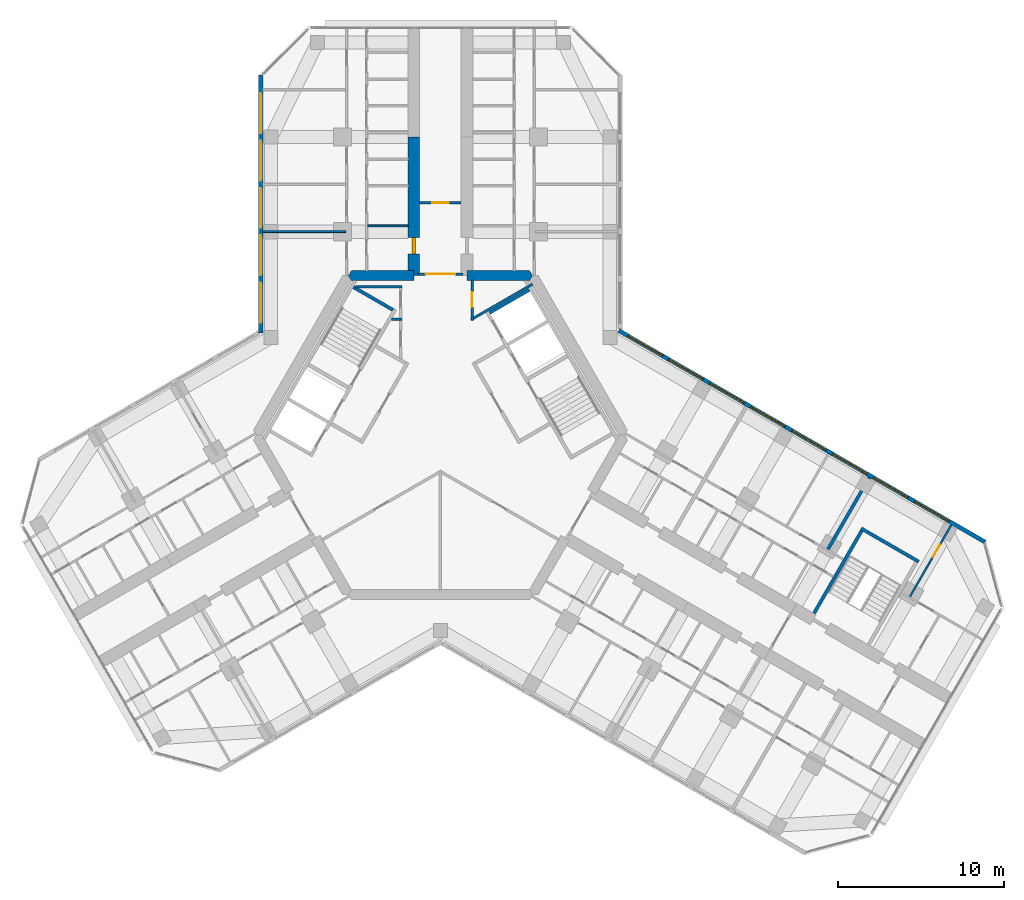
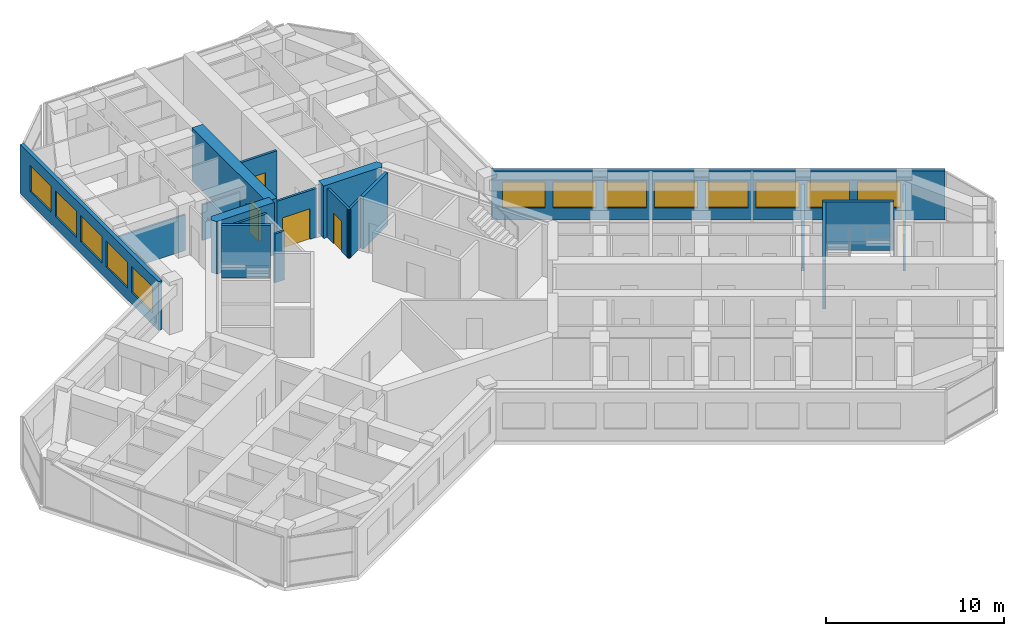
# One storey, part 13 of 16: 19 walls, 13 windows, 5 doors, 18 openings.
"""IFC4 building model written with IfcOpenShell, lengths in metres."""

from ifc_helpers import new_model, si_unit, direction, frame, frame_2d, origin, place, context, subcontext, project, spatial, polyline, rectangle, outline, extrude, material, layer, layer_set, type_object, element, fill, save


model = new_model("IFC4")

# Units and contexts
model_context = context("Model", 3, precision=1e-05, world=origin(), true_north=direction((0.0, 1.0)))
body_context = subcontext(model_context, "Body", "Model", "MODEL_VIEW")
ifc_project = project(units=[si_unit("LENGTHUNIT", "METRE"), si_unit("AREAUNIT", "SQUARE_METRE"), si_unit("VOLUMEUNIT", "CUBIC_METRE"), si_unit("PLANEANGLEUNIT", "RADIAN"), si_unit("MASSUNIT", "GRAM", prefix="KILO")], contexts=[model_context])

# Site, building, storey
site_placement = place(None, origin())
site = spatial("IfcSite", under=ifc_project, at=site_placement, CompositionType="ELEMENT")
building_placement = place(site_placement, origin())
building = spatial("IfcBuilding", under=site, at=building_placement, Name="Kosmar Iwan School Tower", CompositionType="ELEMENT")
storey_placement = place(building_placement, frame((0.0, 0.0, 235.199951171875)))
storey = spatial("IfcBuildingStorey", under=building, at=storey_placement, Name="L59", CompositionType="ELEMENT", Elevation=235.199951171875)

# Walls
ifc_material_1 = material(Name="Gypsum board on steel studs, fire-rated", Category="steel")
ifc_layer_1 = layer(ifc_material_1, 0.14990234375)
ifc_layer_set_1 = layer_set([ifc_layer_1], Name="Core room partition 150")
wall_type_1 = type_object("IfcWallType", Name="Core room partition 150", PredefinedType="PARTITIONING", material=ifc_layer_set_1)
wall_1_placement = place(storey_placement, frame((-2.324951171875, 6.985107421875, 0.0), z_axis=(0.0, 0.0, 1.0), x_axis=(-1.0, 0.0, 0.0)))
element("IfcWall", 1, at=wall_1_placement, inside=storey, type_object=wall_type_1, Name="Core room partition L59-CW2", PredefinedType="PARTITIONING", context=body_context, shape_type="SweptSolid", body=[
    extrude(rectangle(XDim=0.623779296875, YDim=0.14990234375, at=frame_2d((0.31201171875, 0.0))), origin(), (0.0, 0.0, 1.0), 3.35009765625),
])
wall_2_placement = place(storey_placement, frame((-5.089599609375, 8.93994140625, 0.0), z_axis=(0.0, 0.0, 1.0), x_axis=(1.0, 0.0, 0.0)))
element("IfcWall", 2, at=wall_2_placement, inside=storey, type_object=wall_type_1, Name="Core room partition L59-CW3", PredefinedType="PARTITIONING", context=body_context, shape_type="SweptSolid", body=[
    extrude(rectangle(XDim=2.7646484375, YDim=0.14990234375, at=frame_2d((1.38232421875, 0.0))), origin(), (0.0, 0.0, 1.0), 3.35009765625),
])
wall_3_placement = place(storey_placement, frame((5.54296875, 9.089111328125, 0.0), z_axis=(0.0, 0.0, 1.0), x_axis=(-0.866045054481, -0.49996596245, 0.0)))
element("IfcWall", 3, at=wall_3_placement, inside=storey, type_object=wall_type_1, Name="Core room partition L59-CW8", PredefinedType="PARTITIONING", context=body_context, shape_type="SweptSolid", body=[
    extrude(rectangle(XDim=4.281494140625, YDim=0.14990234375, at=frame_2d((2.140625, 0.0))), origin(), (0.0, 0.0, 1.0), 3.35009765625),
])

# Wall, opening, door
wall_4_placement = place(storey_placement, frame((1.89990234375, 6.910888671875, 0.0), z_axis=(0.0, 0.0, 1.0), x_axis=(0.0, 1.0, 0.0)))
wall_4 = element("IfcWall", 4, at=wall_4_placement, inside=storey, type_object=wall_type_1, Name="Core room partition L59-CW9", PredefinedType="PARTITIONING", context=body_context, shape_type="SweptSolid", body=[
    extrude(rectangle(XDim=2.43408203125, YDim=0.14990234375, at=frame_2d((1.217041015625, 0.0))), origin(), (0.0, 0.0, 1.0), 3.35009765625),
])
opening_1_placement = place(wall_4_placement, frame((0.802001953125, 0.0, 0.0)))
opening_1 = element("IfcOpeningElement", 5, at=opening_1_placement, cuts=wall_4, Name="Opening D14", PredefinedType="OPENING", context=body_context, shape_type="SweptSolid", body=[
    extrude(rectangle(XDim=0.89990234375, YDim=2.10009765625, at=frame_2d((0.449951171875, 1.050048828125))), frame((0.0, 0.0869140625, 0.0), z_axis=(0.0, -1.0, 0.0), x_axis=(1.0, 0.0, 0.0)), (0.0, 0.0, 1.0), 0.173828125),
])
ifc_material_2 = material(Name="Timber fire door in steel frame", Category="steel")
door_type_1 = type_object("IfcDoorType", Name="Core room door 900x2100", OperationType="SINGLE_SWING_LEFT", PredefinedType="DOOR", material=ifc_material_2)
door_1_placement = place(opening_1_placement, origin())
door_1 = element("IfcDoor", 6, at=door_1_placement, inside=storey, type_object=door_type_1, Name="Communications room door L59 5", OperationType="SINGLE_SWING_RIGHT", OverallHeight=2.10009765625, OverallWidth=0.89990234375, PredefinedType="DOOR", context=body_context, shape_type="SweptSolid", body=[
    extrude(rectangle(XDim=0.89990234375, YDim=2.10009765625, at=frame_2d((0.449951171875, 1.050048828125))), frame((0.0, 0.02490234375, 0.0), z_axis=(0.0, -1.0, 0.0), x_axis=(1.0, 0.0, 0.0)), (0.0, 0.0, 1.0), 0.050048828125),
])
fill(opening_1, door_1)

# Walls
ifc_material_3 = material(Name="Concrete C50/60", Category="concrete")
ifc_layer_2 = layer(ifc_material_3, 0.60009765625)
ifc_layer_set_2 = layer_set([ifc_layer_2], Name="Core wall 600")
wall_type_2 = type_object("IfcWallType", Name="Core wall 600", PredefinedType="SHEAR", material=ifc_layer_set_2)
wall_5_placement = place(storey_placement, origin())
element("IfcWall", 7, at=wall_5_placement, inside=storey, type_object=wall_type_2, Name="Core wall F090a", PredefinedType="SHEAR", context=body_context, shape_type="SweptSolid", body=[
    extrude(outline(polyline([(1.60009765625, 9.300048828125), (5.369384765625, 9.300048828125), (5.54248046875, 9.60009765625), (5.369384765625, 9.89990234375), (1.60009765625, 9.89990234375), (1.60009765625, 9.300048828125)])), origin(), (0.0, 0.0, 1.0), 3.60009765625),
])
wall_6_placement = place(storey_placement, origin())
element("IfcWall", 8, at=wall_6_placement, inside=storey, type_object=wall_type_2, Name="Core wall F090b", PredefinedType="SHEAR", context=body_context, shape_type="SweptSolid", body=[
    extrude(outline(polyline([(-5.369384765625, 9.300048828125), (-1.60009765625, 9.300048828125), (-1.60009765625, 9.89990234375), (-5.369384765625, 9.89990234375), (-5.54248046875, 9.60009765625), (-5.369384765625, 9.300048828125)])), origin(), (0.0, 0.0, 1.0), 3.60009765625),
])

# Wall, opening, door
ifc_material_4 = material(Name="Concrete C50/60", Category="concrete")
ifc_layer_3 = layer(ifc_material_4, 0.699951171875)
ifc_layer_set_3 = layer_set([ifc_layer_3], Name="Corridor buttress wall 700")
wall_type_3 = type_object("IfcWallType", Name="Corridor buttress wall 700", PredefinedType="SHEAR", material=ifc_layer_set_3)
wall_7_placement = place(storey_placement, frame((-1.60009765625, 9.60009765625, 0.0), z_axis=(0.0, 0.0, 1.0), x_axis=(0.0, 1.0, 0.0)))
wall_7 = element("IfcWall", 9, at=wall_7_placement, inside=storey, type_object=wall_type_3, Name="Corridor wall AL", PredefinedType="SHEAR", context=body_context, shape_type="SweptSolid", body=[
    extrude(rectangle(XDim=8.349853515625, YDim=0.699951171875, at=frame_2d((4.1748046875, 0.0))), origin(), (0.0, 0.0, 1.0), 3.60009765625),
])
opening_2_placement = place(wall_7_placement, frame((1.300048828125, 0.0, 0.0)))
opening_2 = element("IfcOpeningElement", 10, at=opening_2_placement, cuts=wall_7, Name="Opening D1", PredefinedType="OPENING", context=body_context, shape_type="SweptSolid", body=[
    extrude(rectangle(XDim=1.0, YDim=2.10009765625, at=frame_2d((0.5, 1.050048828125))), frame((0.0, 0.362060546875, 0.0), z_axis=(0.0, -1.0, 0.0), x_axis=(1.0, 0.0, 0.0)), (0.0, 0.0, 1.0), 0.723876953125),
])
ifc_material_5 = material(Name="Timber fire door in steel frame", Category="steel")
door_type_2 = type_object("IfcDoorType", Name="Flat entrance door 1000x2100", OperationType="SINGLE_SWING_LEFT", PredefinedType="DOOR", material=ifc_material_5)
door_2_placement = place(opening_2_placement, origin())
door_2 = element("IfcDoor", 11, at=door_2_placement, inside=storey, type_object=door_type_2, Name="Flat L59-AL1 entrance door", OperationType="SINGLE_SWING_RIGHT", OverallHeight=2.10009765625, OverallWidth=1.0, PredefinedType="DOOR", context=body_context, shape_type="SweptSolid", body=[
    extrude(rectangle(XDim=1.0, YDim=2.10009765625, at=frame_2d((0.5, 1.050048828125))), frame((0.0, 0.10009765625, 0.0), z_axis=(0.0, -1.0, 0.0), x_axis=(1.0, 0.0, 0.0)), (0.0, 0.0, 1.0), 0.199951171875),
])
fill(opening_2, door_2)

ifc_material_6 = material(Name="Gypsum board on steel studs, fire-rated", Category="steel")
ifc_layer_4 = layer(ifc_material_6, 0.14990234375)
ifc_layer_set_4 = layer_set([ifc_layer_4], Name="Corridor end wall 150")
wall_type_4 = type_object("IfcWallType", Name="Corridor end wall 150", PredefinedType="PARTITIONING", material=ifc_layer_set_4)
wall_8_placement = place(storey_placement, frame((1.25, 14.0, 0.0), z_axis=(0.0, 0.0, 1.0), x_axis=(-1.0, 0.0, 0.0)))
wall_8 = element("IfcWall", 12, at=wall_8_placement, inside=storey, type_object=wall_type_4, Name="Partition L59-A-CE", PredefinedType="PARTITIONING", context=body_context, shape_type="SweptSolid", body=[
    extrude(rectangle(XDim=2.5, YDim=0.14990234375, at=frame_2d((1.25, 0.0))), origin(), (0.0, 0.0, 1.0), 3.35009765625),
])
opening_3_placement = place(wall_8_placement, frame((0.75, 0.0, 0.0)))
opening_3 = element("IfcOpeningElement", 13, at=opening_3_placement, cuts=wall_8, Name="Opening D13", PredefinedType="OPENING", context=body_context, shape_type="SweptSolid", body=[
    extrude(rectangle(XDim=1.0, YDim=2.10009765625, at=frame_2d((0.5, 1.050048828125))), frame((0.0, 0.0869140625, 0.0), z_axis=(0.0, -1.0, 0.0), x_axis=(1.0, 0.0, 0.0)), (0.0, 0.0, 1.0), 0.173828125),
])
ifc_material_7 = material(Name="Timber fire door with vision panel", Category="wood")
door_type_3 = type_object("IfcDoorType", Name="Corridor end door 1000x2100", OperationType="SINGLE_SWING_LEFT", PredefinedType="DOOR", material=ifc_material_7)
door_3_placement = place(opening_3_placement, origin())
door_3 = element("IfcDoor", 14, at=door_3_placement, inside=storey, type_object=door_type_3, Name="Reading room door L59-A", OperationType="SINGLE_SWING_RIGHT", OverallHeight=2.10009765625, OverallWidth=1.0, PredefinedType="DOOR", context=body_context, shape_type="SweptSolid", body=[
    extrude(rectangle(XDim=1.0, YDim=2.10009765625, at=frame_2d((0.5, 1.050048828125))), frame((0.0, 0.02490234375, 0.0), z_axis=(0.0, -1.0, 0.0), x_axis=(1.0, 0.0, 0.0)), (0.0, 0.0, 1.0), 0.050048828125),
])
fill(opening_3, door_3)

ifc_material_8 = material(Name="Steel framed glazed screen", Category="steel")
ifc_layer_5 = layer(ifc_material_8, 0.14990234375)
ifc_layer_set_5 = layer_set([ifc_layer_5], Name="Corridor screen wall 150")
wall_type_5 = type_object("IfcWallType", Name="Corridor screen wall 150", PredefinedType="PARTITIONING", material=ifc_layer_set_5)
wall_9_placement = place(storey_placement, frame((1.35009765625, 9.699951171875, 0.0), z_axis=(0.0, 0.0, 1.0), x_axis=(-1.0, 0.0, 0.0)))
wall_9 = element("IfcWall", 15, at=wall_9_placement, inside=storey, type_object=wall_type_5, Name="Corridor screen A L59", PredefinedType="PARTITIONING", context=body_context, shape_type="SweptSolid", body=[
    extrude(rectangle(XDim=2.7001953125, YDim=0.14990234375, at=frame_2d((1.35009765625, 0.0))), origin(), (0.0, 0.0, 1.0), 3.35009765625),
])
opening_4_placement = place(wall_9_placement, frame((0.449951171875, 0.0, 0.0)))
opening_4 = element("IfcOpeningElement", 16, at=opening_4_placement, cuts=wall_9, Name="Opening D9", PredefinedType="OPENING", context=body_context, shape_type="SweptSolid", body=[
    extrude(rectangle(XDim=1.800048828125, YDim=2.10009765625, at=frame_2d((0.89990234375, 1.050048828125))), frame((0.0, 0.0869140625, 0.0), z_axis=(0.0, -1.0, 0.0), x_axis=(1.0, 0.0, 0.0)), (0.0, 0.0, 1.0), 0.173828125),
])
ifc_material_9 = material(Name="Steel framed glazed smoke door", Category="steel")
door_type_4 = type_object("IfcDoorType", Name="Corridor smoke door pair 1800x2100", OperationType="DOUBLE_DOOR_DOUBLE_SWING", PredefinedType="DOOR", material=ifc_material_9)
door_4_placement = place(opening_4_placement, origin())
door_4 = element("IfcDoor", 17, at=door_4_placement, inside=storey, type_object=door_type_4, Name="Corridor doors A L59", OperationType="DOUBLE_DOOR_DOUBLE_SWING", OverallHeight=2.10009765625, OverallWidth=1.800048828125, PredefinedType="DOOR", context=body_context, shape_type="SweptSolid", body=[
    extrude(rectangle(XDim=1.800048828125, YDim=2.10009765625, at=frame_2d((0.89990234375, 1.050048828125))), frame((0.0, 0.02490234375, 0.0), z_axis=(0.0, -1.0, 0.0), x_axis=(1.0, 0.0, 0.0)), (0.0, 0.0, 1.0), 0.050048828125),
])
fill(opening_4, door_4)

# Walls
ifc_material_10 = material(Name="Gypsum board on steel studs", Category="steel")
ifc_layer_6 = layer(ifc_material_10, 0.1201171875)
ifc_layer_set_6 = layer_set([ifc_layer_6], Name="Dwelling partition 120")
wall_type_6 = type_object("IfcWallType", Name="Dwelling partition 120", PredefinedType="PARTITIONING", material=ifc_layer_set_6)
wall_10_placement = place(storey_placement, frame((-5.7099609375, 12.25, 0.0), z_axis=(0.0, 0.0, 1.0), x_axis=(-1.0, 0.0, 0.0)))
element("IfcWall", 18, at=wall_10_placement, inside=storey, type_object=wall_type_6, Name="Partition L59-AL1-X1", PredefinedType="PARTITIONING", context=body_context, shape_type="SweptSolid", body=[
    extrude(rectangle(XDim=4.989990234375, YDim=0.1201171875, at=frame_2d((2.4951171875, 0.0))), origin(), (0.0, 0.0, 1.0), 2.449951171875),
])
wall_11_placement = place(storey_placement, frame((-1.949951171875, 12.60009765625, 0.0), z_axis=(0.0, 0.0, 1.0), x_axis=(-1.0, 0.0, 0.0)))
element("IfcWall", 19, at=wall_11_placement, inside=storey, type_object=wall_type_6, Name="Partition L59-AL1-Y1", PredefinedType="PARTITIONING", context=body_context, shape_type="SweptSolid", body=[
    extrude(rectangle(XDim=2.43994140625, YDim=0.1201171875, at=frame_2d((1.219970703125, 0.0))), origin(), (0.0, 0.0, 1.0), 2.449951171875),
])

# Wall, opening, door
wall_12_placement = place(storey_placement, frame((28.27294921875, -9.72998046875, 0.0), z_axis=(0.0, 0.0, 1.0), x_axis=(0.499975153383, 0.86603974851, 0.0)))
wall_12 = element("IfcWall", 20, at=wall_12_placement, inside=storey, type_object=wall_type_6, Name="Partition L59-CL3-TX", PredefinedType="PARTITIONING", context=body_context, shape_type="SweptSolid", body=[
    extrude(rectangle(XDim=4.989990234375, YDim=0.1201171875, at=frame_2d((2.4951171875, 0.0))), origin(), (0.0, 0.0, 1.0), 2.449951171875),
])
opening_5_placement = place(wall_12_placement, frame((2.739990234375, 0.0, 0.0)))
opening_5 = element("IfcOpeningElement", 21, at=opening_5_placement, cuts=wall_12, Name="Opening D2", PredefinedType="OPENING", context=body_context, shape_type="SweptSolid", body=[
    extrude(rectangle(XDim=0.89990234375, YDim=2.10009765625, at=frame_2d((0.449951171875, 1.050048828125))), frame((0.0, 0.072021484375, 0.0), z_axis=(0.0, -1.0, 0.0), x_axis=(1.0, 0.0, 0.0)), (0.0, 0.0, 1.0), 0.14404296875),
])
ifc_material_11 = material(Name="Timber door in timber frame", Category="wood")
door_type_5 = type_object("IfcDoorType", Name="Internal door 900x2100", OperationType="SINGLE_SWING_LEFT", PredefinedType="DOOR", material=ifc_material_11)
door_5_placement = place(opening_5_placement, origin())
door_5 = element("IfcDoor", 22, at=door_5_placement, inside=storey, type_object=door_type_5, Name="Bedroom 1 door L59-CL3-T1", OperationType="SINGLE_SWING_RIGHT", OverallHeight=2.10009765625, OverallWidth=0.89990234375, PredefinedType="DOOR", context=body_context, shape_type="SweptSolid", body=[
    extrude(rectangle(XDim=0.89990234375, YDim=2.10009765625, at=frame_2d((0.449951171875, 1.050048828125))), frame((0.0, 0.02490234375, 0.0), z_axis=(0.0, -1.0, 0.0), x_axis=(1.0, 0.0, 0.0)), (0.0, 0.0, 1.0), 0.050048828125),
])
fill(opening_5, door_5)

# Walls
ifc_material_12 = material(Name="Concrete C35/45", Category="concrete")
ifc_layer_7 = layer(ifc_material_12, 0.199951171875)
ifc_layer_set_7 = layer_set([ifc_layer_7], Name="Escape stair wall 200")
wall_type_7 = type_object("IfcWallType", Name="Escape stair wall 200", PredefinedType="SHEAR", material=ifc_layer_set_7)
wall_13_placement = place(storey_placement, frame((22.49560546875, -10.736328125, 0.0), z_axis=(0.0, 0.0, 1.0), x_axis=(0.500013701029, 0.866017493347, 0.0)))
element("IfcWall", 23, at=wall_13_placement, inside=storey, type_object=wall_type_7, Name="Stair WS3 wall", PredefinedType="SHEAR", context=body_context, shape_type="SweptSolid", body=[
    extrude(rectangle(XDim=5.949951171875, YDim=0.199951171875, at=frame_2d((2.97509765625, 0.0))), origin(), (0.0, 0.0, 1.0), 3.330078125),
])
wall_14_placement = place(storey_placement, frame((25.334228515625, -5.6201171875, 0.0), z_axis=(0.0, 0.0, 1.0), x_axis=(0.866026010844, -0.49999894854, 0.0)))
element("IfcWall", 24, at=wall_14_placement, inside=storey, type_object=wall_type_7, Name="Stair WS3 wall", PredefinedType="SHEAR", context=body_context, shape_type="SweptSolid", body=[
    extrude(rectangle(XDim=4.0, YDim=0.199951171875, at=frame_2d((2.0, 0.0))), origin(), (0.0, 0.0, 1.0), 3.330078125),
])

# Wall, openings, windows
ifc_material_13 = material(Name="Black aluminium rainscreen on insulated framing", Category="aluminium")
ifc_layer_8 = layer(ifc_material_13, 0.25)
ifc_layer_set_8 = layer_set([ifc_layer_8], Name="External wall rainscreen 250")
wall_type_8 = type_object("IfcWallType", Name="External wall rainscreen 250", PredefinedType="SOLIDWALL", material=ifc_layer_set_8)
wall_15_placement = place(storey_placement, frame((10.73681640625, 6.30078125, 0.0), z_axis=(0.0, 0.0, 1.0), x_axis=(0.866026390279, -0.499998291337, 0.0)))
wall_15 = element("IfcWall", 25, at=wall_15_placement, inside=storey, type_object=wall_type_8, Name="External wall CL L59", PredefinedType="SOLIDWALL", context=body_context, shape_type="SweptSolid", body=[
    extrude(rectangle(XDim=25.4873046875, YDim=0.25, at=frame_2d((12.74365234375, 0.0))), origin(), (0.0, 0.0, 1.0), 3.35009765625),
])
opening_6_placement = place(wall_15_placement, frame((0.626953125, 0.0, 0.800048828125)))
opening_6 = element("IfcOpeningElement", 26, at=opening_6_placement, cuts=wall_15, Name="Opening W5", PredefinedType="OPENING", context=body_context, shape_type="SweptSolid", body=[
    extrude(rectangle(XDim=2.39990234375, YDim=1.800048828125, at=frame_2d((1.199951171875, 0.89990234375))), frame((0.0, 0.136962890625, 0.0), z_axis=(0.0, -1.0, 0.0), x_axis=(1.0, 0.0, 0.0)), (0.0, 0.0, 1.0), 0.27392578125),
])
opening_7_placement = place(wall_15_placement, frame((3.47705078125, 0.0, 0.800048828125)))
opening_7 = element("IfcOpeningElement", 27, at=opening_7_placement, cuts=wall_15, Name="Opening W5", PredefinedType="OPENING", context=body_context, shape_type="SweptSolid", body=[
    extrude(rectangle(XDim=2.39990234375, YDim=1.800048828125, at=frame_2d((1.199951171875, 0.89990234375))), frame((0.0, 0.136962890625, 0.0), z_axis=(0.0, -1.0, 0.0), x_axis=(1.0, 0.0, 0.0)), (0.0, 0.0, 1.0), 0.27392578125),
])
opening_8_placement = place(wall_15_placement, frame((6.326904296875, 0.0, 0.800048828125)))
opening_8 = element("IfcOpeningElement", 28, at=opening_8_placement, cuts=wall_15, Name="Opening W5", PredefinedType="OPENING", context=body_context, shape_type="SweptSolid", body=[
    extrude(rectangle(XDim=2.39990234375, YDim=1.800048828125, at=frame_2d((1.199951171875, 0.89990234375))), frame((0.0, 0.136962890625, 0.0), z_axis=(0.0, -1.0, 0.0), x_axis=(1.0, 0.0, 0.0)), (0.0, 0.0, 1.0), 0.27392578125),
])
opening_9_placement = place(wall_15_placement, frame((9.177001953125, 0.0, 0.800048828125)))
opening_9 = element("IfcOpeningElement", 29, at=opening_9_placement, cuts=wall_15, Name="Opening W5", PredefinedType="OPENING", context=body_context, shape_type="SweptSolid", body=[
    extrude(rectangle(XDim=2.39990234375, YDim=1.800048828125, at=frame_2d((1.199951171875, 0.89990234375))), frame((0.0, 0.136962890625, 0.0), z_axis=(0.0, -1.0, 0.0), x_axis=(1.0, 0.0, 0.0)), (0.0, 0.0, 1.0), 0.27392578125),
])
opening_10_placement = place(wall_15_placement, frame((12.027099609375, 0.0, 0.800048828125)))
opening_10 = element("IfcOpeningElement", 30, at=opening_10_placement, cuts=wall_15, Name="Opening W5", PredefinedType="OPENING", context=body_context, shape_type="SweptSolid", body=[
    extrude(rectangle(XDim=2.39990234375, YDim=1.800048828125, at=frame_2d((1.199951171875, 0.89990234375))), frame((0.0, 0.136962890625, 0.0), z_axis=(0.0, -1.0, 0.0), x_axis=(1.0, 0.0, 0.0)), (0.0, 0.0, 1.0), 0.27392578125),
])
opening_11_placement = place(wall_15_placement, frame((14.876953125, 0.0, 0.800048828125)))
opening_11 = element("IfcOpeningElement", 31, at=opening_11_placement, cuts=wall_15, Name="Opening W5", PredefinedType="OPENING", context=body_context, shape_type="SweptSolid", body=[
    extrude(rectangle(XDim=2.39990234375, YDim=1.800048828125, at=frame_2d((1.199951171875, 0.89990234375))), frame((0.0, 0.136962890625, 0.0), z_axis=(0.0, -1.0, 0.0), x_axis=(1.0, 0.0, 0.0)), (0.0, 0.0, 1.0), 0.27392578125),
])
opening_12_placement = place(wall_15_placement, frame((17.72705078125, 0.0, 0.800048828125)))
opening_12 = element("IfcOpeningElement", 32, at=opening_12_placement, cuts=wall_15, Name="Opening W5", PredefinedType="OPENING", context=body_context, shape_type="SweptSolid", body=[
    extrude(rectangle(XDim=2.39990234375, YDim=1.800048828125, at=frame_2d((1.199951171875, 0.89990234375))), frame((0.0, 0.136962890625, 0.0), z_axis=(0.0, -1.0, 0.0), x_axis=(1.0, 0.0, 0.0)), (0.0, 0.0, 1.0), 0.27392578125),
])
opening_13_placement = place(wall_15_placement, frame((20.576904296875, 0.0, 0.800048828125)))
opening_13 = element("IfcOpeningElement", 33, at=opening_13_placement, cuts=wall_15, Name="Opening W5", PredefinedType="OPENING", context=body_context, shape_type="SweptSolid", body=[
    extrude(rectangle(XDim=2.39990234375, YDim=1.800048828125, at=frame_2d((1.199951171875, 0.89990234375))), frame((0.0, 0.136962890625, 0.0), z_axis=(0.0, -1.0, 0.0), x_axis=(1.0, 0.0, 0.0)), (0.0, 0.0, 1.0), 0.27392578125),
])
ifc_material_14 = material(Name="Black aluminium frame with dark triple glazing", Category="aluminium")
window_type = type_object("IfcWindowType", Name="Window 2400x1800", PartitioningType="SINGLE_PANEL", PredefinedType="WINDOW", material=ifc_material_14)
window_1_placement = place(opening_6_placement, origin())
window_1 = element("IfcWindow", 34, at=window_1_placement, inside=storey, type_object=window_type, Name="Window CL L59 -1", OverallHeight=1.800048828125, OverallWidth=2.39990234375, PartitioningType="SINGLE_PANEL", PredefinedType="WINDOW", context=body_context, shape_type="SweptSolid", body=[
    extrude(rectangle(XDim=2.39990234375, YDim=1.800048828125, at=frame_2d((1.199951171875, 0.89990234375))), frame((0.0, 0.030029296875, 0.0), z_axis=(0.0, -1.0, 0.0), x_axis=(1.0, 0.0, 0.0)), (0.0, 0.0, 1.0), 0.06005859375),
])
fill(opening_6, window_1)
window_2_placement = place(opening_7_placement, origin())
window_2 = element("IfcWindow", 35, at=window_2_placement, inside=storey, type_object=window_type, Name="Window CL L59 0", OverallHeight=1.800048828125, OverallWidth=2.39990234375, PartitioningType="SINGLE_PANEL", PredefinedType="WINDOW", context=body_context, shape_type="SweptSolid", body=[
    extrude(rectangle(XDim=2.39990234375, YDim=1.800048828125, at=frame_2d((1.199951171875, 0.89990234375))), frame((0.0, 0.030029296875, 0.0), z_axis=(0.0, -1.0, 0.0), x_axis=(1.0, 0.0, 0.0)), (0.0, 0.0, 1.0), 0.06005859375),
])
fill(opening_7, window_2)
window_3_placement = place(opening_8_placement, origin())
window_3 = element("IfcWindow", 36, at=window_3_placement, inside=storey, type_object=window_type, Name="Window CL L59 1", OverallHeight=1.800048828125, OverallWidth=2.39990234375, PartitioningType="SINGLE_PANEL", PredefinedType="WINDOW", context=body_context, shape_type="SweptSolid", body=[
    extrude(rectangle(XDim=2.39990234375, YDim=1.800048828125, at=frame_2d((1.199951171875, 0.89990234375))), frame((0.0, 0.030029296875, 0.0), z_axis=(0.0, -1.0, 0.0), x_axis=(1.0, 0.0, 0.0)), (0.0, 0.0, 1.0), 0.06005859375),
])
fill(opening_8, window_3)
window_4_placement = place(opening_9_placement, origin())
window_4 = element("IfcWindow", 37, at=window_4_placement, inside=storey, type_object=window_type, Name="Window CL L59 2", OverallHeight=1.800048828125, OverallWidth=2.39990234375, PartitioningType="SINGLE_PANEL", PredefinedType="WINDOW", context=body_context, shape_type="SweptSolid", body=[
    extrude(rectangle(XDim=2.39990234375, YDim=1.800048828125, at=frame_2d((1.199951171875, 0.89990234375))), frame((0.0, 0.030029296875, 0.0), z_axis=(0.0, -1.0, 0.0), x_axis=(1.0, 0.0, 0.0)), (0.0, 0.0, 1.0), 0.06005859375),
])
fill(opening_9, window_4)
window_5_placement = place(opening_10_placement, origin())
window_5 = element("IfcWindow", 38, at=window_5_placement, inside=storey, type_object=window_type, Name="Window CL L59 3", OverallHeight=1.800048828125, OverallWidth=2.39990234375, PartitioningType="SINGLE_PANEL", PredefinedType="WINDOW", context=body_context, shape_type="SweptSolid", body=[
    extrude(rectangle(XDim=2.39990234375, YDim=1.800048828125, at=frame_2d((1.199951171875, 0.89990234375))), frame((0.0, 0.030029296875, 0.0), z_axis=(0.0, -1.0, 0.0), x_axis=(1.0, 0.0, 0.0)), (0.0, 0.0, 1.0), 0.06005859375),
])
fill(opening_10, window_5)
window_6_placement = place(opening_11_placement, origin())
window_6 = element("IfcWindow", 39, at=window_6_placement, inside=storey, type_object=window_type, Name="Window CL L59 4", OverallHeight=1.800048828125, OverallWidth=2.39990234375, PartitioningType="SINGLE_PANEL", PredefinedType="WINDOW", context=body_context, shape_type="SweptSolid", body=[
    extrude(rectangle(XDim=2.39990234375, YDim=1.800048828125, at=frame_2d((1.199951171875, 0.89990234375))), frame((0.0, 0.030029296875, 0.0), z_axis=(0.0, -1.0, 0.0), x_axis=(1.0, 0.0, 0.0)), (0.0, 0.0, 1.0), 0.06005859375),
])
fill(opening_11, window_6)
window_7_placement = place(opening_12_placement, origin())
window_7 = element("IfcWindow", 40, at=window_7_placement, inside=storey, type_object=window_type, Name="Window CL L59 5", OverallHeight=1.800048828125, OverallWidth=2.39990234375, PartitioningType="SINGLE_PANEL", PredefinedType="WINDOW", context=body_context, shape_type="SweptSolid", body=[
    extrude(rectangle(XDim=2.39990234375, YDim=1.800048828125, at=frame_2d((1.199951171875, 0.89990234375))), frame((0.0, 0.030029296875, 0.0), z_axis=(0.0, -1.0, 0.0), x_axis=(1.0, 0.0, 0.0)), (0.0, 0.0, 1.0), 0.06005859375),
])
fill(opening_12, window_7)
window_8_placement = place(opening_13_placement, origin())
window_8 = element("IfcWindow", 41, at=window_8_placement, inside=storey, type_object=window_type, Name="Window CL L59 6", OverallHeight=1.800048828125, OverallWidth=2.39990234375, PartitioningType="SINGLE_PANEL", PredefinedType="WINDOW", context=body_context, shape_type="SweptSolid", body=[
    extrude(rectangle(XDim=2.39990234375, YDim=1.800048828125, at=frame_2d((1.199951171875, 0.89990234375))), frame((0.0, 0.030029296875, 0.0), z_axis=(0.0, -1.0, 0.0), x_axis=(1.0, 0.0, 0.0)), (0.0, 0.0, 1.0), 0.06005859375),
])
fill(opening_13, window_8)

wall_16_placement = place(storey_placement, frame((-10.824951171875, 6.14794921875, 0.0), z_axis=(0.0, 0.0, 1.0), x_axis=(0.0, 1.0, 0.0)))
wall_16 = element("IfcWall", 42, at=wall_16_placement, inside=storey, type_object=wall_type_8, Name="External wall AL L59", PredefinedType="SOLIDWALL", context=body_context, shape_type="SweptSolid", body=[
    extrude(rectangle(XDim=15.537353515625, YDim=0.25, at=frame_2d((7.7685546875, 0.0))), origin(), (0.0, 0.0, 1.0), 3.35009765625),
])
opening_14_placement = place(wall_16_placement, frame((0.626953125, 0.0, 0.800048828125)))
opening_14 = element("IfcOpeningElement", 43, at=opening_14_placement, cuts=wall_16, Name="Opening W5", PredefinedType="OPENING", context=body_context, shape_type="SweptSolid", body=[
    extrude(rectangle(XDim=2.39990234375, YDim=1.800048828125, at=frame_2d((1.199951171875, 0.89990234375))), frame((0.0, 0.136962890625, 0.0), z_axis=(0.0, -1.0, 0.0), x_axis=(1.0, 0.0, 0.0)), (0.0, 0.0, 1.0), 0.27392578125),
])
opening_15_placement = place(wall_16_placement, frame((3.47705078125, 0.0, 0.800048828125)))
opening_15 = element("IfcOpeningElement", 44, at=opening_15_placement, cuts=wall_16, Name="Opening W5", PredefinedType="OPENING", context=body_context, shape_type="SweptSolid", body=[
    extrude(rectangle(XDim=2.39990234375, YDim=1.800048828125, at=frame_2d((1.199951171875, 0.89990234375))), frame((0.0, 0.136962890625, 0.0), z_axis=(0.0, -1.0, 0.0), x_axis=(1.0, 0.0, 0.0)), (0.0, 0.0, 1.0), 0.27392578125),
])
opening_16_placement = place(wall_16_placement, frame((6.326904296875, 0.0, 0.800048828125)))
opening_16 = element("IfcOpeningElement", 45, at=opening_16_placement, cuts=wall_16, Name="Opening W5", PredefinedType="OPENING", context=body_context, shape_type="SweptSolid", body=[
    extrude(rectangle(XDim=2.39990234375, YDim=1.800048828125, at=frame_2d((1.199951171875, 0.89990234375))), frame((0.0, 0.136962890625, 0.0), z_axis=(0.0, -1.0, 0.0), x_axis=(1.0, 0.0, 0.0)), (0.0, 0.0, 1.0), 0.27392578125),
])
opening_17_placement = place(wall_16_placement, frame((9.177001953125, 0.0, 0.800048828125)))
opening_17 = element("IfcOpeningElement", 46, at=opening_17_placement, cuts=wall_16, Name="Opening W5", PredefinedType="OPENING", context=body_context, shape_type="SweptSolid", body=[
    extrude(rectangle(XDim=2.39990234375, YDim=1.800048828125, at=frame_2d((1.199951171875, 0.89990234375))), frame((0.0, 0.136962890625, 0.0), z_axis=(0.0, -1.0, 0.0), x_axis=(1.0, 0.0, 0.0)), (0.0, 0.0, 1.0), 0.27392578125),
])
opening_18_placement = place(wall_16_placement, frame((12.027099609375, 0.0, 0.800048828125)))
opening_18 = element("IfcOpeningElement", 47, at=opening_18_placement, cuts=wall_16, Name="Opening W5", PredefinedType="OPENING", context=body_context, shape_type="SweptSolid", body=[
    extrude(rectangle(XDim=2.39990234375, YDim=1.800048828125, at=frame_2d((1.199951171875, 0.89990234375))), frame((0.0, 0.136962890625, 0.0), z_axis=(0.0, -1.0, 0.0), x_axis=(1.0, 0.0, 0.0)), (0.0, 0.0, 1.0), 0.27392578125),
])
window_9_placement = place(opening_14_placement, origin())
window_9 = element("IfcWindow", 48, at=window_9_placement, inside=storey, type_object=window_type, Name="Window AL L59 -1", OverallHeight=1.800048828125, OverallWidth=2.39990234375, PartitioningType="SINGLE_PANEL", PredefinedType="WINDOW", context=body_context, shape_type="SweptSolid", body=[
    extrude(rectangle(XDim=2.39990234375, YDim=1.800048828125, at=frame_2d((1.199951171875, 0.89990234375))), frame((0.0, 0.030029296875, 0.0), z_axis=(0.0, -1.0, 0.0), x_axis=(1.0, 0.0, 0.0)), (0.0, 0.0, 1.0), 0.06005859375),
])
fill(opening_14, window_9)
window_10_placement = place(opening_15_placement, origin())
window_10 = element("IfcWindow", 49, at=window_10_placement, inside=storey, type_object=window_type, Name="Window AL L59 0", OverallHeight=1.800048828125, OverallWidth=2.39990234375, PartitioningType="SINGLE_PANEL", PredefinedType="WINDOW", context=body_context, shape_type="SweptSolid", body=[
    extrude(rectangle(XDim=2.39990234375, YDim=1.800048828125, at=frame_2d((1.199951171875, 0.89990234375))), frame((0.0, 0.030029296875, 0.0), z_axis=(0.0, -1.0, 0.0), x_axis=(1.0, 0.0, 0.0)), (0.0, 0.0, 1.0), 0.06005859375),
])
fill(opening_15, window_10)
window_11_placement = place(opening_16_placement, origin())
window_11 = element("IfcWindow", 50, at=window_11_placement, inside=storey, type_object=window_type, Name="Window AL L59 1", OverallHeight=1.800048828125, OverallWidth=2.39990234375, PartitioningType="SINGLE_PANEL", PredefinedType="WINDOW", context=body_context, shape_type="SweptSolid", body=[
    extrude(rectangle(XDim=2.39990234375, YDim=1.800048828125, at=frame_2d((1.199951171875, 0.89990234375))), frame((0.0, 0.030029296875, 0.0), z_axis=(0.0, -1.0, 0.0), x_axis=(1.0, 0.0, 0.0)), (0.0, 0.0, 1.0), 0.06005859375),
])
fill(opening_16, window_11)
window_12_placement = place(opening_17_placement, origin())
window_12 = element("IfcWindow", 51, at=window_12_placement, inside=storey, type_object=window_type, Name="Window AL L59 2", OverallHeight=1.800048828125, OverallWidth=2.39990234375, PartitioningType="SINGLE_PANEL", PredefinedType="WINDOW", context=body_context, shape_type="SweptSolid", body=[
    extrude(rectangle(XDim=2.39990234375, YDim=1.800048828125, at=frame_2d((1.199951171875, 0.89990234375))), frame((0.0, 0.030029296875, 0.0), z_axis=(0.0, -1.0, 0.0), x_axis=(1.0, 0.0, 0.0)), (0.0, 0.0, 1.0), 0.06005859375),
])
fill(opening_17, window_12)
window_13_placement = place(opening_18_placement, origin())
window_13 = element("IfcWindow", 52, at=window_13_placement, inside=storey, type_object=window_type, Name="Window AL L59 3", OverallHeight=1.800048828125, OverallWidth=2.39990234375, PartitioningType="SINGLE_PANEL", PredefinedType="WINDOW", context=body_context, shape_type="SweptSolid", body=[
    extrude(rectangle(XDim=2.39990234375, YDim=1.800048828125, at=frame_2d((1.199951171875, 0.89990234375))), frame((0.0, 0.030029296875, 0.0), z_axis=(0.0, -1.0, 0.0), x_axis=(1.0, 0.0, 0.0)), (0.0, 0.0, 1.0), 0.06005859375),
])
fill(opening_18, window_13)

# Walls
ifc_material_15 = material(Name="Concrete C50/60", Category="concrete")
ifc_layer_9 = layer(ifc_material_15, 0.199951171875)
ifc_layer_set_9 = layer_set([ifc_layer_9], Name="Lift shaft wall 200")
wall_type_9 = type_object("IfcWallType", Name="Lift shaft wall 200", PredefinedType="SHEAR", material=ifc_layer_set_9)
wall_17_placement = place(storey_placement, frame((2.962646484375, 7.368408203125, 0.0), z_axis=(0.0, 0.0, 1.0), x_axis=(0.866027397988, 0.499996545922, 0.0)))
element("IfcWall", 53, at=wall_17_placement, inside=storey, type_object=wall_type_9, Name="Lift shaft wall AC 2", PredefinedType="SHEAR", context=body_context, shape_type="SweptSolid", body=[
    extrude(rectangle(XDim=2.75, YDim=0.199951171875, at=frame_2d((1.375, 0.0))), origin(), (0.0, 0.0, 1.0), 3.60009765625),
])
ifc_material_16 = material(Name="Concrete block masonry", Category="masonry")
ifc_layer_10 = layer(ifc_material_16, 0.199951171875)
ifc_layer_set_10 = layer_set([ifc_layer_10], Name="Party wall 200")
wall_type_10 = type_object("IfcWallType", Name="Party wall 200", PredefinedType="PARTITIONING", material=ifc_layer_set_10)
wall_18_placement = place(storey_placement, frame((23.33642578125, -6.8798828125, 0.0), z_axis=(0.0, 0.0, 1.0), x_axis=(0.500033033937, 0.866006330792, 0.0)))
element("IfcWall", 54, at=wall_18_placement, inside=storey, type_object=wall_type_10, Name="Partition L59-CL3-TB", PredefinedType="PARTITIONING", context=body_context, shape_type="SweptSolid", body=[
    extrude(rectangle(XDim=4.989990234375, YDim=0.199951171875, at=frame_2d((2.4951171875, 0.0))), origin(), (0.0, 0.0, 1.0), 2.449951171875),
])
ifc_material_17 = material(Name="Concrete C50/60", Category="concrete")
ifc_layer_11 = layer(ifc_material_17, 0.199951171875)
ifc_layer_set_11 = layer_set([ifc_layer_11], Name="Stair enclosure wall 200")
wall_type_11 = type_object("IfcWallType", Name="Stair enclosure wall 200", PredefinedType="SHEAR", material=ifc_layer_set_11)
wall_19_placement = place(storey_placement, frame((-2.862548828125, 7.541748046875, 0.0), z_axis=(0.0, 0.0, 1.0), x_axis=(-0.866027397988, 0.499996545922, 0.0)))
element("IfcWall", 55, at=wall_19_placement, inside=storey, type_object=wall_type_11, Name="Stair ST2 wall", PredefinedType="SHEAR", context=body_context, shape_type="SweptSolid", body=[
    extrude(rectangle(XDim=2.75, YDim=0.199951171875, at=frame_2d((1.375, 0.0))), origin(), (0.0, 0.0, 1.0), 3.60009765625),
])

save(model, "model.ifc")
